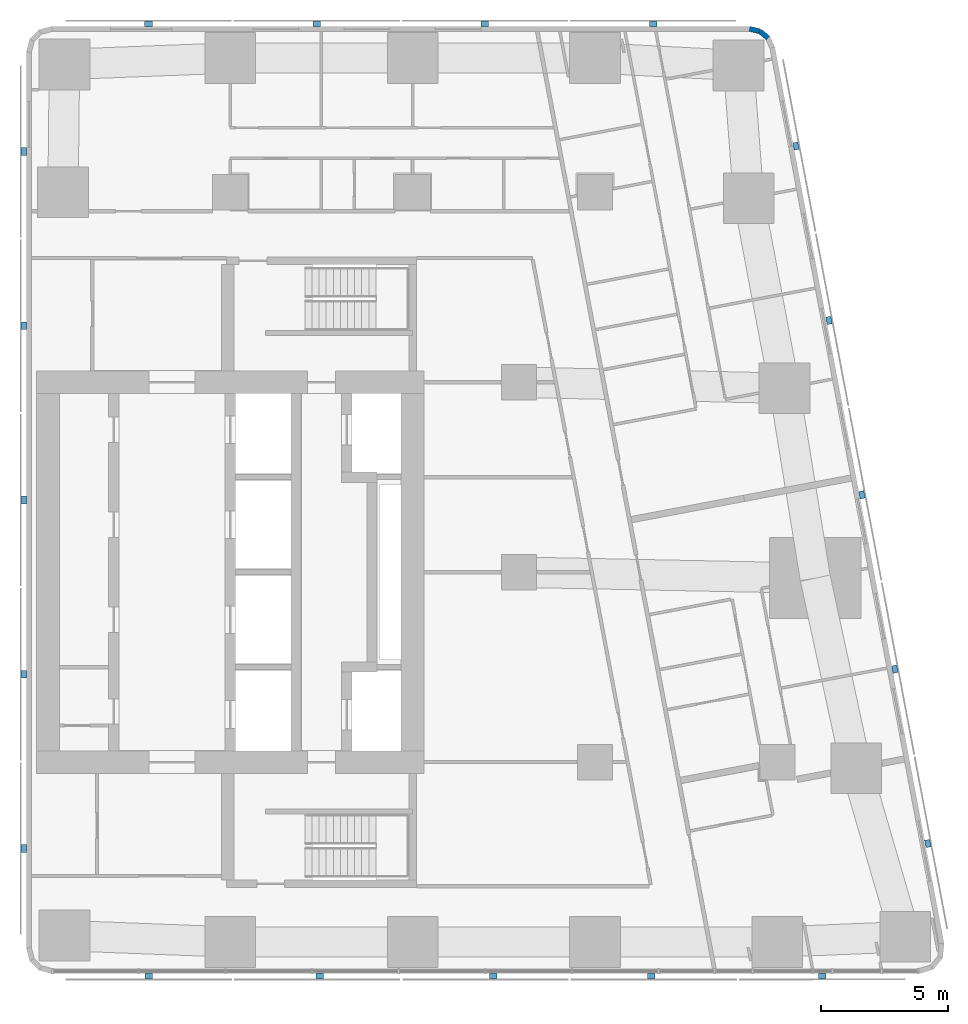
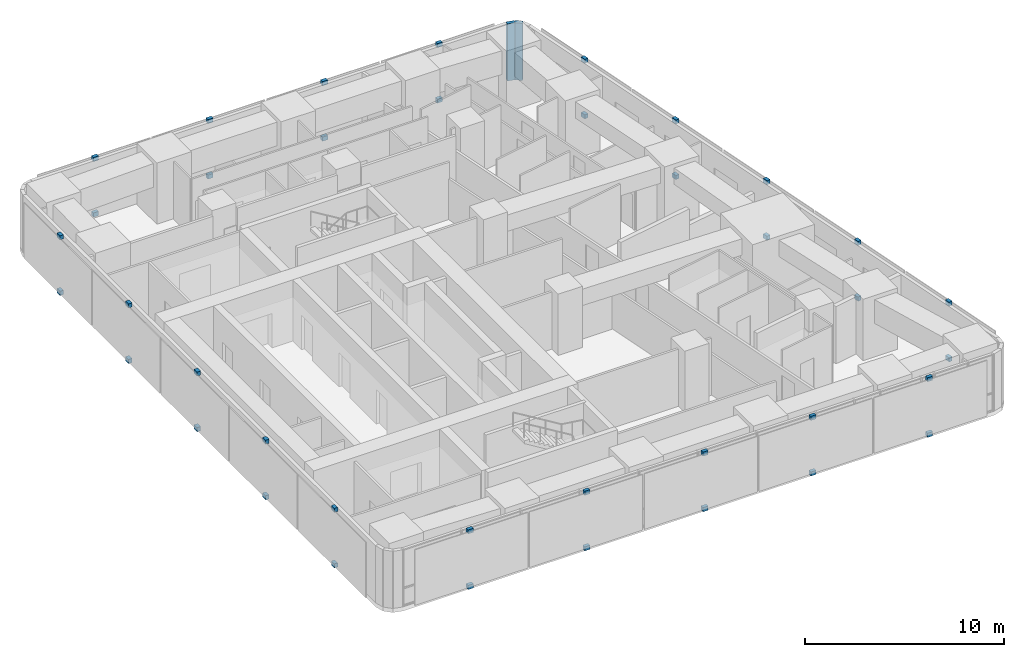
# One storey, part 9 of 11: 38 discrete accessories, 2 walls.
"""IFC4 building model written with IfcOpenShell, lengths in metres."""

from ifc_helpers import new_model, si_unit, direction, frame, frame_2d, origin, origin_2d, place, context, subcontext, project, spatial, rectangle, extrude, material, layer, layer_set, type_object, element, save


model = new_model("IFC4")

# Units and contexts
model_context = context("Model", 3, precision=1e-05, world=origin(), true_north=direction((0.0, 1.0)))
body_context = subcontext(model_context, "Body", "Model", "MODEL_VIEW")
ifc_project = project(units=[si_unit("LENGTHUNIT", "METRE"), si_unit("AREAUNIT", "SQUARE_METRE"), si_unit("VOLUMEUNIT", "CUBIC_METRE"), si_unit("PLANEANGLEUNIT", "RADIAN"), si_unit("MASSUNIT", "GRAM", prefix="KILO")], contexts=[model_context])

# Site, building, storey
site_placement = place(None, origin())
site = spatial("IfcSite", under=ifc_project, at=site_placement, CompositionType="ELEMENT")
building_placement = place(site_placement, origin())
building = spatial("IfcBuilding", under=site, at=building_placement, Name="Sheger Commons Tower", CompositionType="ELEMENT")
storey_placement = place(building_placement, frame((0.0, 0.0, 270.35009765625)))
storey = spatial("IfcBuildingStorey", under=building, at=storey_placement, Name="L69", CompositionType="ELEMENT", Elevation=270.35009765625)

# Walls
ifc_material_1 = material(Name="Rendered concrete block masonry, dark grey", Category="masonry")
ifc_layer = layer(ifc_material_1, 0.199951171875)
ifc_layer_set = layer_set([ifc_layer], Name="FACADE WALL 200")
wall_type = type_object("IfcWallType", Name="FACADE WALL 200", PredefinedType="SOLIDWALL", material=ifc_layer_set)
wall_1_placement = place(storey_placement, frame((42.830078125, 43.592041015625, 0.0), z_axis=(0.0, 0.0, 1.0), x_axis=(-0.771190539797, 0.636604391539, 0.0)))
element("IfcWall", 1, at=wall_1_placement, inside=storey, type_object=wall_type, Name="Facade wall L69", PredefinedType="SOLIDWALL", context=body_context, shape_type="SweptSolid", body=[
    extrude(rectangle(XDim=0.409912109375, YDim=0.199951171875, at=frame_2d((0.205078125, 0.0))), origin(), (0.0, 0.0, 1.0), 3.5),
])
wall_2_placement = place(storey_placement, frame((42.513916015625, 43.85302734375, 0.0), z_axis=(0.0, 0.0, 1.0), x_axis=(-0.973288080424, 0.229587265555, 0.0)))
element("IfcWall", 2, at=wall_2_placement, inside=storey, type_object=wall_type, Name="Facade wall L69", PredefinedType="SOLIDWALL", context=body_context, shape_type="SweptSolid", body=[
    extrude(rectangle(XDim=0.422119140625, YDim=0.199951171875, at=frame_2d((0.2109375, 0.0))), origin(), (0.0, 0.0, 1.0), 3.5),
])

# Discrete accessories
ifc_material_2 = material(Name="Black painted steel bracket", Category="steel")
discrete_accessory_type = type_object("IfcDiscreteAccessoryType", Name="SCREEN BRACKET 300x200x250", PredefinedType="BRACKET", material=ifc_material_2)
for number, where, z_axis, x_axis, name in (
    (3, (18.375, 6.550048828125, -0.10009765625), (0.0, 0.0, 1.0), (1.0, 0.0, 0.0), "Solar screen foot bracket"),
    (4, (18.375, 6.550048828125, 3.2998046875), (0.0, 0.0, 1.0), (1.0, 0.0, 0.0), "Solar screen head bracket"),
    (5, (25.1259765625, 6.550048828125, -0.10009765625), (0.0, 0.0, 1.0), (1.0, 0.0, 0.0), "Solar screen foot bracket"),
    (6, (25.1259765625, 6.550048828125, 3.2998046875), (0.0, 0.0, 1.0), (1.0, 0.0, 0.0), "Solar screen head bracket"),
    (7, (31.97607421875, 6.550048828125, -0.10009765625), (0.0, 0.0, 1.0), (1.0, 0.0, 0.0), "Solar screen foot bracket"),
    (8, (31.97607421875, 6.550048828125, 3.2998046875), (0.0, 0.0, 1.0), (1.0, 0.0, 0.0), "Solar screen head bracket"),
    (9, (38.22607421875, 6.550048828125, -0.10009765625), (0.0, 0.0, 1.0), (1.0, 0.0, 0.0), "Solar screen foot bracket"),
    (10, (38.22607421875, 6.550048828125, 3.2998046875), (0.0, 0.0, 1.0), (1.0, 0.0, 0.0), "Solar screen head bracket"),
    (11, (44.97705078125, 6.550048828125, -0.10009765625), (0.0, 0.0, 1.0), (1.0, 0.0, 0.0), "Solar screen foot bracket"),
    (12, (44.97705078125, 6.550048828125, 3.2998046875), (0.0, 0.0, 1.0), (1.0, 0.0, 0.0), "Solar screen head bracket"),
    (13, (49.139892578125, 11.7880859375, -0.10009765625), (0.0, 0.0, 1.0), (-0.185615165645, 0.982622516678, 0.0), "Solar screen foot bracket"),
    (14, (49.139892578125, 11.7880859375, 3.2998046875), (0.0, 0.0, 1.0), (-0.185615165645, 0.982622516678, 0.0), "Solar screen head bracket"),
    (15, (47.840087890625, 18.6708984375, -0.10009765625), (0.0, 0.0, 1.0), (-0.185615165645, 0.982622516678, 0.0), "Solar screen foot bracket"),
    (16, (47.840087890625, 18.6708984375, 3.2998046875), (0.0, 0.0, 1.0), (-0.185615165645, 0.982622516678, 0.0), "Solar screen head bracket"),
    (17, (46.5400390625, 25.554931640625, -0.10009765625), (0.0, 0.0, 1.0), (-0.185615165645, 0.982622516678, 0.0), "Solar screen foot bracket"),
    (18, (46.5400390625, 25.554931640625, 3.2998046875), (0.0, 0.0, 1.0), (-0.185615165645, 0.982622516678, 0.0), "Solar screen head bracket"),
    (19, (45.239013671875, 32.43798828125, -0.10009765625), (0.0, 0.0, 1.0), (-0.185615165645, 0.982622516678, 0.0), "Solar screen foot bracket"),
    (20, (45.239013671875, 32.43798828125, 3.2998046875), (0.0, 0.0, 1.0), (-0.185615165645, 0.982622516678, 0.0), "Solar screen head bracket"),
    (21, (43.93896484375, 39.322021484375, -0.10009765625), (0.0, 0.0, 1.0), (-0.185615165645, 0.982622516678, 0.0), "Solar screen foot bracket"),
    (22, (43.93896484375, 39.322021484375, 3.2998046875), (0.0, 0.0, 1.0), (-0.185615165645, 0.982622516678, 0.0), "Solar screen head bracket"),
    (23, (38.2939453125, 44.14990234375, -0.10009765625), (0.0, 0.0, 1.0), (-1.0, 0.0, 0.0), "Solar screen foot bracket"),
    (24, (38.2939453125, 44.14990234375, 3.2998046875), (0.0, 0.0, 1.0), (-1.0, 0.0, 0.0), "Solar screen head bracket"),
    (25, (31.653076171875, 44.14990234375, -0.10009765625), (0.0, 0.0, 1.0), (-1.0, 0.0, 0.0), "Solar screen foot bracket"),
    (26, (31.653076171875, 44.14990234375, 3.2998046875), (0.0, 0.0, 1.0), (-1.0, 0.0, 0.0), "Solar screen head bracket"),
    (27, (25.011962890625, 44.14990234375, -0.10009765625), (0.0, 0.0, 1.0), (-1.0, 0.0, 0.0), "Solar screen foot bracket"),
    (28, (25.011962890625, 44.14990234375, 3.2998046875), (0.0, 0.0, 1.0), (-1.0, 0.0, 0.0), "Solar screen head bracket"),
    (29, (18.37109375, 44.14990234375, -0.10009765625), (0.0, 0.0, 1.0), (-1.0, 0.0, 0.0), "Solar screen foot bracket"),
    (30, (18.37109375, 44.14990234375, 3.2998046875), (0.0, 0.0, 1.0), (-1.0, 0.0, 0.0), "Solar screen head bracket"),
    (31, (13.449951171875, 39.110107421875, -0.10009765625), (0.0, 0.0, 1.0), (0.0, -1.0, 0.0), "Solar screen foot bracket"),
    (32, (13.449951171875, 39.110107421875, 3.2998046875), (0.0, 0.0, 1.0), (0.0, -1.0, 0.0), "Solar screen head bracket"),
    (33, (13.449951171875, 32.22998046875, -0.10009765625), (0.0, 0.0, 1.0), (0.0, -1.0, 0.0), "Solar screen foot bracket"),
    (34, (13.449951171875, 32.22998046875, 3.2998046875), (0.0, 0.0, 1.0), (0.0, -1.0, 0.0), "Solar screen head bracket"),
    (35, (13.449951171875, 25.35009765625, -0.10009765625), (0.0, 0.0, 1.0), (0.0, -1.0, 0.0), "Solar screen foot bracket"),
    (36, (13.449951171875, 25.35009765625, 3.2998046875), (0.0, 0.0, 1.0), (0.0, -1.0, 0.0), "Solar screen head bracket"),
    (37, (13.449951171875, 18.469970703125, -0.10009765625), (0.0, 0.0, 1.0), (0.0, -1.0, 0.0), "Solar screen foot bracket"),
    (38, (13.449951171875, 18.469970703125, 3.2998046875), (0.0, 0.0, 1.0), (0.0, -1.0, 0.0), "Solar screen head bracket"),
    (39, (13.449951171875, 11.590087890625, -0.10009765625), (0.0, 0.0, 1.0), (0.0, -1.0, 0.0), "Solar screen foot bracket"),
    (40, (13.449951171875, 11.590087890625, 3.2998046875), (0.0, 0.0, 1.0), (0.0, -1.0, 0.0), "Solar screen head bracket"),
):
    element("IfcDiscreteAccessory", number, at=place(storey_placement, frame(where, z_axis=z_axis, x_axis=x_axis)), inside=storey, type_object=discrete_accessory_type, Name=name, PredefinedType="BRACKET", context=body_context, shape_type="SweptSolid", body=[
        extrude(rectangle(XDim=0.300048828125, YDim=0.199951171875, at=origin_2d()), origin(), (0.0, 0.0, 1.0), 0.25),
    ])

save(model, "model.ifc")
